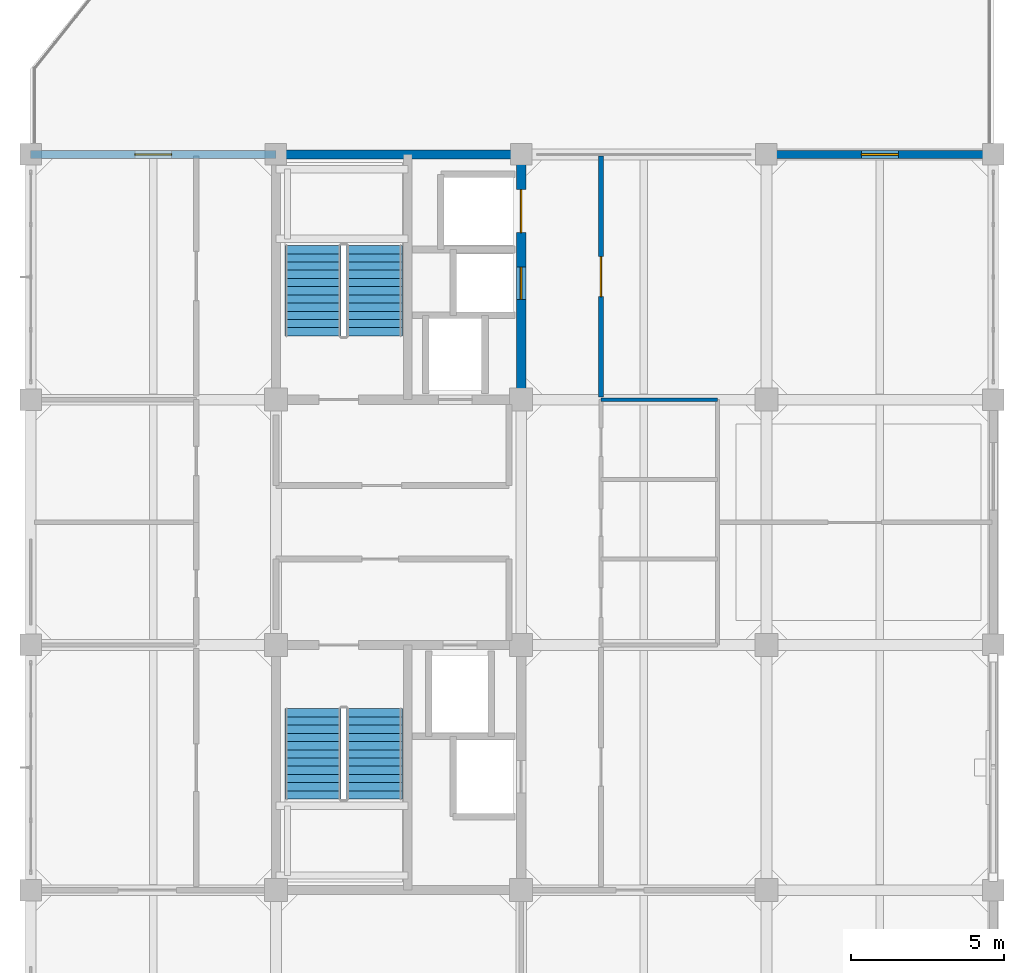
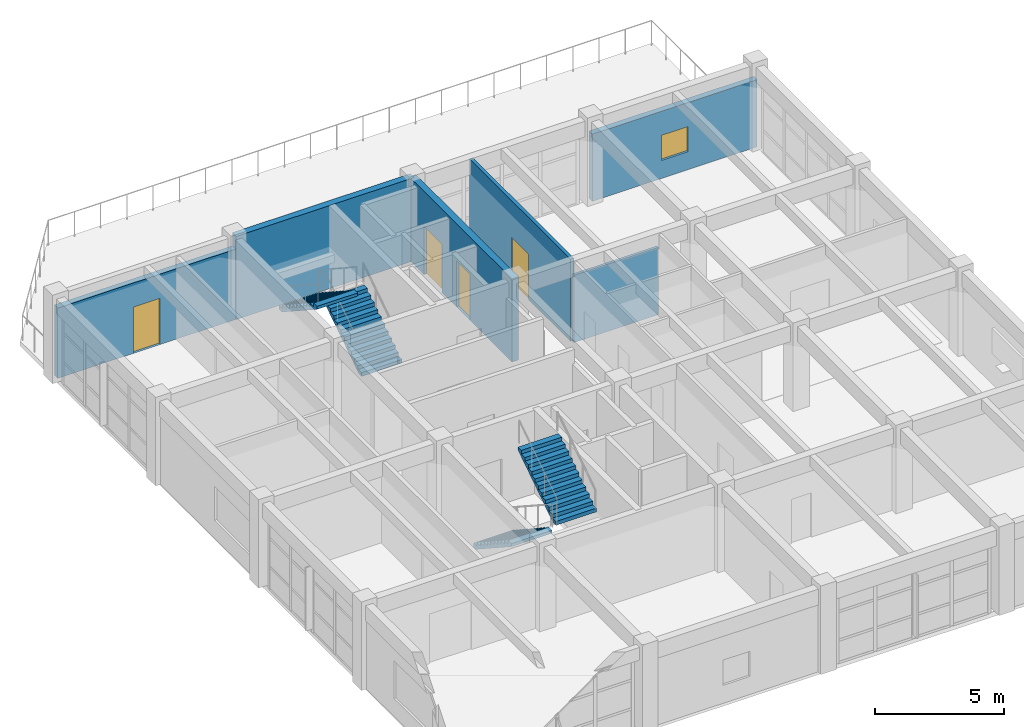
# One storey, part 16 of 19: 6 walls, 4 doors, 4 stair flights, 1 window, 5 openings, 2 elements without a shape of their own.
"""IFC4 building model written with IfcOpenShell, lengths in metres."""

from ifc_helpers import new_model, si_unit, direction, frame, frame_2d, origin, place, context, subcontext, project, spatial, polyline, rectangle, outline, extrude, material, layer, layer_set, type_object, element, fill, aggregate, save


model = new_model("IFC4")

# Units and contexts
model_context = context("Model", 3, precision=1e-05, world=origin(), true_north=direction((0.0, 1.0)))
body_context = subcontext(model_context, "Body", "Model", "MODEL_VIEW")
ifc_project = project(units=[si_unit("LENGTHUNIT", "METRE"), si_unit("AREAUNIT", "SQUARE_METRE"), si_unit("VOLUMEUNIT", "CUBIC_METRE"), si_unit("PLANEANGLEUNIT", "RADIAN"), si_unit("MASSUNIT", "GRAM", prefix="KILO")], contexts=[model_context])

# Site, building, storey
site_placement = place(None, origin())
site = spatial("IfcSite", under=ifc_project, at=site_placement, CompositionType="ELEMENT")
building_placement = place(site_placement, origin())
building = spatial("IfcBuilding", under=site, at=building_placement, Name="Canggui Botanical Conservatory", CompositionType="ELEMENT")
storey_placement = place(building_placement, frame((0.0, 0.0, 48.60009765625)))
storey = spatial("IfcBuildingStorey", under=building, at=storey_placement, Name="L12", CompositionType="ELEMENT", Elevation=48.60009765625)

# Wall, opening, door
ifc_material_1 = material(Name="Precast Concrete C40", Category="concrete")
ifc_layer_1 = layer(ifc_material_1, 0.260009765625, Name="Precast Concrete C40", Category="concrete")
ifc_layer_set_1 = layer_set([ifc_layer_1], Name="Precast Concrete C40")
wall_type_1 = type_object("IfcWallType", Name="EW-260", PredefinedType="STANDARD", material=ifc_layer_set_1)
wall_1_placement = place(storey_placement, frame((146.0, 66.0, 0.0), z_axis=(0.0, 0.0, 1.0), x_axis=(1.0, 0.0, 0.0)))
wall_1 = element("IfcWall", 1, at=wall_1_placement, inside=storey, type_object=wall_type_1, Name="Tower Insulated Exterior Wall L12-N9", PredefinedType="STANDARD", context=body_context, shape_type="SweptSolid", body=[
    extrude(rectangle(XDim=8.0, YDim=0.260009765625, at=frame_2d((4.0, 0.0))), origin(), (0.0, 0.0, 1.0), 3.33984375),
])
opening_1_placement = place(wall_1_placement, frame((3.39990234375, 0.0, 0.0)))
opening_1 = element("IfcOpeningElement", 2, at=opening_1_placement, cuts=wall_1, Name="Opening TD-02", PredefinedType="OPENING", context=body_context, shape_type="SweptSolid", body=[
    extrude(rectangle(XDim=1.199951171875, YDim=2.199951171875, at=frame_2d((0.60009765625, 1.10009765625))), frame((0.0, 0.14013671875, 0.0), z_axis=(0.0, -1.0, 0.0), x_axis=(1.0, 0.0, 0.0)), (0.0, 0.0, 1.0), 0.280029296875),
])
ifc_material_2 = material(Name="Anodised Aluminium", Category="aluminium")
door_type_1 = type_object("IfcDoorType", Name="EDR-TER12", OperationType="NOTDEFINED", PredefinedType="DOOR", material=ifc_material_2)
door_1_placement = place(opening_1_placement, origin())
door_1 = element("IfcDoor", 3, at=door_1_placement, inside=storey, type_object=door_type_1, Name="Sky Terrace Access Door L12", OperationType="SINGLE_SWING_RIGHT", OverallHeight=2.199951171875, OverallWidth=1.199951171875, PredefinedType="DOOR", context=body_context, shape_type="SweptSolid", body=[
    extrude(rectangle(XDim=1.199951171875, YDim=2.199951171875, at=frame_2d((0.60009765625, 1.10009765625))), frame((0.0, 0.02490234375, 0.0), z_axis=(0.0, -1.0, 0.0), x_axis=(1.0, 0.0, 0.0)), (0.0, 0.0, 1.0), 0.050048828125),
])
fill(opening_1, door_1)

# Wall, opening, window
wall_2_placement = place(storey_placement, frame((170.0, 66.0, 0.0), z_axis=(0.0, 0.0, 1.0), x_axis=(1.0, 0.0, 0.0)))
wall_2 = element("IfcWall", 4, at=wall_2_placement, inside=storey, type_object=wall_type_1, Name="Tower Insulated Exterior Wall L12-N11", PredefinedType="STANDARD", context=body_context, shape_type="SweptSolid", body=[
    extrude(rectangle(XDim=7.39990234375, YDim=0.260009765625, at=frame_2d((3.699951171875, 0.0))), origin(), (0.0, 0.0, 1.0), 3.18994140625),
])
opening_2_placement = place(wall_2_placement, frame((3.10009765625, 0.0, 0.85009765625)))
opening_2 = element("IfcOpeningElement", 5, at=opening_2_placement, cuts=wall_2, Name="Opening W-06", PredefinedType="OPENING", context=body_context, shape_type="SweptSolid", body=[
    extrude(rectangle(XDim=1.199951171875, YDim=1.199951171875, at=frame_2d((0.60009765625, 0.60009765625))), frame((0.0, 0.14013671875, 0.0), z_axis=(0.0, -1.0, 0.0), x_axis=(1.0, 0.0, 0.0)), (0.0, 0.0, 1.0), 0.280029296875),
])
ifc_material_3 = material(Name="Low-E Insulated Glass", Category="glass")
window_type = type_object("IfcWindowType", Name="WIN-06", PartitioningType="SINGLE_PANEL", PredefinedType="WINDOW", material=ifc_material_3)
window_placement = place(opening_2_placement, origin())
window = element("IfcWindow", 6, at=window_placement, inside=storey, type_object=window_type, Name="Tower Firefighter Rescue Window L12-11", OverallHeight=1.199951171875, OverallWidth=1.199951171875, PartitioningType="SINGLE_PANEL", PredefinedType="WINDOW", context=body_context, shape_type="SweptSolid", body=[
    extrude(rectangle(XDim=1.199951171875, YDim=1.199951171875, at=frame_2d((0.60009765625, 0.60009765625))), frame((0.0, 0.030029296875, 0.0), z_axis=(0.0, -1.0, 0.0), x_axis=(1.0, 0.0, 0.0)), (0.0, 0.0, 1.0), 0.06005859375),
])
fill(opening_2, window)

# Wall, opening, door
ifc_material_4 = material(Name="Gypsum Plasterboard Partition")
ifc_layer_2 = layer(ifc_material_4, 0.155029296875, Name="Gypsum Plasterboard Partition")
ifc_layer_set_2 = layer_set([ifc_layer_2], Name="Gypsum Plasterboard Partition")
wall_type_2 = type_object("IfcWallType", Name="IW-LAB-155", PredefinedType="STANDARD", material=ifc_layer_set_2)
wall_3_placement = place(storey_placement, frame((164.60009765625, 58.080078125, 0.0), z_axis=(0.0, 0.0, 1.0), x_axis=(0.0, 1.0, 0.0)))
wall_3 = element("IfcWall", 7, at=wall_3_placement, inside=storey, type_object=wall_type_2, Name="L12 Micropropagation Growth Room Lab Wall", PredefinedType="STANDARD", context=body_context, shape_type="SweptSolid", body=[
    extrude(rectangle(XDim=7.869873046875, YDim=0.155029296875, at=frame_2d((3.93505859375, 0.0))), origin(), (0.0, 0.0, 1.0), 3.89990234375),
])
opening_3_placement = place(wall_3_placement, frame((3.284912109375, 0.0, 0.0)))
opening_3 = element("IfcOpeningElement", 8, at=opening_3_placement, cuts=wall_3, Name="Opening FD-09", PredefinedType="OPENING", context=body_context, shape_type="SweptSolid", body=[
    extrude(rectangle(XDim=1.300048828125, YDim=2.14990234375, at=frame_2d((0.64990234375, 1.074951171875))), frame((0.0, 0.08740234375, 0.0), z_axis=(0.0, -1.0, 0.0), x_axis=(1.0, 0.0, 0.0)), (0.0, 0.0, 1.0), 0.175048828125),
])
ifc_material_5 = material(Name="Powder-Coated Steel", Category="steel")
door_type_2 = type_object("IfcDoorType", Name="FD-09", OperationType="NOTDEFINED", PredefinedType="DOOR", material=ifc_material_5)
door_2_placement = place(opening_3_placement, origin())
door_2 = element("IfcDoor", 9, at=door_2_placement, inside=storey, type_object=door_type_2, Name="Interior Door IW-L12-ECOR-2-1", OperationType="SINGLE_SWING_RIGHT", OverallHeight=2.14990234375, OverallWidth=1.300048828125, PredefinedType="DOOR", context=body_context, shape_type="SweptSolid", body=[
    extrude(rectangle(XDim=1.300048828125, YDim=2.14990234375, at=frame_2d((0.64990234375, 1.074951171875))), frame((0.0, 0.02490234375, 0.0), z_axis=(0.0, -1.0, 0.0), x_axis=(1.0, 0.0, 0.0)), (0.0, 0.0, 1.0), 0.050048828125),
])
fill(opening_3, door_2)

# Wall
ifc_layer_3 = layer(ifc_material_4, 0.125, Name="Gypsum Plasterboard Partition")
ifc_layer_set_3 = layer_set([ifc_layer_3], Name="Gypsum Plasterboard Partition")
wall_type_3 = type_object("IfcWallType", Name="IW-WC-125", PredefinedType="STANDARD", material=ifc_layer_set_3)
wall_4_placement = place(storey_placement, frame((164.60009765625, 58.0, 0.0), z_axis=(0.0, 0.0, 1.0), x_axis=(1.0, 0.0, 0.0)))
element("IfcWall", 10, at=wall_4_placement, inside=storey, type_object=wall_type_3, Name="L12 Restroom Divider Y58.0", PredefinedType="STANDARD", context=body_context, shape_type="SweptSolid", body=[
    extrude(rectangle(XDim=3.7998046875, YDim=0.125, at=frame_2d((1.89990234375, 0.0))), origin(), (0.0, 0.0, 1.0), 3.18994140625),
])

# Wall, openings, doors
ifc_material_6 = material(Name="Concrete C35", Category="concrete")
ifc_layer_4 = layer(ifc_material_6, 0.300048828125, Name="Concrete C35", Category="concrete")
ifc_layer_set_4 = layer_set([ifc_layer_4], Name="Concrete C35")
wall_type_4 = type_object("IfcWallType", Name="WALL-SH-300-C35", PredefinedType="SHEAR", material=ifc_layer_set_4)
wall_5_placement = place(storey_placement, frame((162.0, 58.0, 0.0), z_axis=(0.0, 0.0, 1.0), x_axis=(0.0, 1.0, 0.0)))
wall_5 = element("IfcWall", 11, at=wall_5_placement, inside=storey, type_object=wall_type_4, Name="Core T2 Shear Wall L12-E", PredefinedType="SHEAR", context=body_context, shape_type="SweptSolid", body=[
    extrude(rectangle(XDim=8.0, YDim=0.300048828125, at=frame_2d((4.0, 0.0))), origin(), (0.0, 0.0, 1.0), 3.949951171875),
])
opening_4_placement = place(wall_5_placement, frame((3.27490234375, 0.0, 0.0)))
opening_4 = element("IfcOpeningElement", 12, at=opening_4_placement, cuts=wall_5, Name="Opening LD-02", PredefinedType="OPENING", context=body_context, shape_type="SweptSolid", body=[
    extrude(rectangle(XDim=1.050048828125, YDim=2.199951171875, at=frame_2d((0.52490234375, 1.10009765625))), frame((0.0, 0.16015625, 0.0), z_axis=(0.0, -1.0, 0.0), x_axis=(1.0, 0.0, 0.0)), (0.0, 0.0, 1.0), 0.320068359375),
])
opening_5_placement = place(wall_5_placement, frame((5.449951171875, 0.0, 0.0)))
opening_5 = element("IfcOpeningElement", 13, at=opening_5_placement, cuts=wall_5, Name="Opening LD-03", PredefinedType="OPENING", context=body_context, shape_type="SweptSolid", body=[
    extrude(rectangle(XDim=1.39990234375, YDim=2.300048828125, at=frame_2d((0.699951171875, 1.14990234375))), frame((0.0, 0.16015625, 0.0), z_axis=(0.0, -1.0, 0.0), x_axis=(1.0, 0.0, 0.0)), (0.0, 0.0, 1.0), 0.320068359375),
])
ifc_material_7 = material(Name="Stainless Steel 304", Category="steel")
door_type_3 = type_object("IfcDoorType", Name="LDR-02", OperationType="NOTDEFINED", PredefinedType="DOOR", material=ifc_material_7)
door_3_placement = place(opening_4_placement, origin())
door_3 = element("IfcDoor", 14, at=door_3_placement, inside=storey, type_object=door_type_3, Name="Passenger Lift PL-02 Landing Door L12", OperationType="SLIDING_TO_RIGHT", OverallHeight=2.199951171875, OverallWidth=1.050048828125, PredefinedType="DOOR", context=body_context, shape_type="SweptSolid", body=[
    extrude(rectangle(XDim=1.050048828125, YDim=2.199951171875, at=frame_2d((0.52490234375, 1.10009765625))), frame((0.0, 0.02490234375, 0.0), z_axis=(0.0, -1.0, 0.0), x_axis=(1.0, 0.0, 0.0)), (0.0, 0.0, 1.0), 0.050048828125),
])
fill(opening_4, door_3)
door_type_4 = type_object("IfcDoorType", Name="LDR-03", OperationType="NOTDEFINED", PredefinedType="DOOR", material=ifc_material_7)
door_4_placement = place(opening_5_placement, origin())
door_4 = element("IfcDoor", 15, at=door_4_placement, inside=storey, type_object=door_type_4, Name="Herbarium Goods Lift GL-01 Landing Door L12", OperationType="DOUBLE_DOOR_SLIDING", OverallHeight=2.300048828125, OverallWidth=1.39990234375, PredefinedType="DOOR", context=body_context, shape_type="SweptSolid", body=[
    extrude(rectangle(XDim=1.39990234375, YDim=2.300048828125, at=frame_2d((0.699951171875, 1.14990234375))), frame((0.0, 0.02490234375, 0.0), z_axis=(0.0, -1.0, 0.0), x_axis=(1.0, 0.0, 0.0)), (0.0, 0.0, 1.0), 0.050048828125),
])
fill(opening_5, door_4)

# Wall
wall_6_placement = place(storey_placement, frame((162.0, 66.0, 0.0), z_axis=(0.0, 0.0, 1.0), x_axis=(-1.0, 0.0, 0.0)))
element("IfcWall", 16, at=wall_6_placement, inside=storey, type_object=wall_type_4, Name="Core T2 Shear Wall L12-N", PredefinedType="SHEAR", context=body_context, shape_type="SweptSolid", body=[
    extrude(rectangle(XDim=8.0, YDim=0.300048828125, at=frame_2d((4.0, 0.0))), origin(), (0.0, 0.0, 1.0), 3.949951171875),
])

# Stair, stair flights
stair_type = type_object("IfcStairType", Name="STR-TYPE-6", PredefinedType="HALF_TURN_STAIR", material=ifc_material_6)
stair_1_placement = place(storey_placement, origin())
stair_1 = element("IfcStair", 17, at=stair_1_placement, inside=storey, type_object=stair_type, Name="L12 Tower South Smoke-Proof Stair ST-T1", PredefinedType="HALF_TURN_STAIR")
stair_flight_type = type_object("IfcStairFlightType", Name="SFL-TYPE-6", PredefinedType="STRAIGHT", material=ifc_material_6)
stair_flight_1_placement = place(storey_placement, frame((155.2099609375, 47.919921875, 0.0), z_axis=(0.0, 0.0, 1.0), x_axis=(0.0, -1.0, 0.0)))
stair_flight_1 = element("IfcStairFlight", 18, at=stair_flight_1_placement, type_object=stair_flight_type, Name="ST-T1 flight 1", NumberOfRisers=12, NumberOfTreads=11, PredefinedType="STRAIGHT", RiserHeight=0.175, TreadLength=0.268, context=body_context, shape_type="SweptSolid", body=[
    extrude(outline(polyline([(0.0, 0.0), (0.0, 0.175048828125), (0.26806640625, 0.175048828125), (0.26806640625, 0.35009765625), (0.535888671875, 0.35009765625), (0.535888671875, 0.52490234375), (0.803955078125, 0.52490234375), (0.803955078125, 0.699951171875), (1.072021484375, 0.699951171875), (1.072021484375, 0.875), (1.340087890625, 0.875), (1.340087890625, 1.050048828125), (1.60791015625, 1.050048828125), (1.60791015625, 1.22509765625), (1.8759765625, 1.22509765625), (1.8759765625, 1.39990234375), (2.14404296875, 1.39990234375), (2.14404296875, 1.574951171875), (2.412109375, 1.574951171875), (2.412109375, 1.75), (2.679931640625, 1.75), (2.679931640625, 1.925048828125), (2.947998046875, 1.925048828125), (2.947998046875, 2.10009765625), (2.947998046875, 1.781494140625), (0.2197265625, 0.0), (0.0, 0.0)])), frame((0.0, 0.91015625, 0.0), z_axis=(0.0, -1.0, 0.0), x_axis=(1.0, 0.0, 0.0)), (0.0, 0.0, 1.0), 1.820068359375),
])
stair_flight_2_placement = place(storey_placement, frame((157.2099609375, 44.971923828125, 2.099853515625), z_axis=(0.0, 0.0, 1.0), x_axis=(0.0, 1.0, 0.0)))
stair_flight_2 = element("IfcStairFlight", 19, at=stair_flight_2_placement, type_object=stair_flight_type, Name="ST-T1 flight 2", NumberOfRisers=12, NumberOfTreads=11, PredefinedType="STRAIGHT", RiserHeight=0.175, TreadLength=0.268, context=body_context, shape_type="SweptSolid", body=[
    extrude(outline(polyline([(0.0, 0.0), (0.0, 0.175048828125), (0.26806640625, 0.175048828125), (0.26806640625, 0.35009765625), (0.535888671875, 0.35009765625), (0.535888671875, 0.52490234375), (0.803955078125, 0.52490234375), (0.803955078125, 0.699951171875), (1.072021484375, 0.699951171875), (1.072021484375, 0.875), (1.340087890625, 0.875), (1.340087890625, 1.050048828125), (1.60791015625, 1.050048828125), (1.60791015625, 1.22509765625), (1.8759765625, 1.22509765625), (1.8759765625, 1.39990234375), (2.14404296875, 1.39990234375), (2.14404296875, 1.574951171875), (2.412109375, 1.574951171875), (2.412109375, 1.75), (2.679931640625, 1.75), (2.679931640625, 1.925048828125), (2.947998046875, 1.925048828125), (2.947998046875, 2.10009765625), (2.947998046875, 1.781494140625), (0.2197265625, 0.0), (0.0, 0.0)])), frame((0.0, 0.91015625, 0.0), z_axis=(0.0, -1.0, 0.0), x_axis=(1.0, 0.0, 0.0)), (0.0, 0.0, 1.0), 1.820068359375),
])
aggregate(stair_1, [stair_flight_1, stair_flight_2])

stair_2_placement = place(storey_placement, origin())
stair_2 = element("IfcStair", 20, at=stair_2_placement, inside=storey, type_object=stair_type, Name="L12 Tower North Smoke-Proof Stair ST-T2", PredefinedType="HALF_TURN_STAIR")
stair_flight_3_placement = place(storey_placement, frame((157.2099609375, 60.080078125, 0.0), z_axis=(0.0, 0.0, 1.0), x_axis=(0.0, 1.0, 0.0)))
stair_flight_3 = element("IfcStairFlight", 21, at=stair_flight_3_placement, type_object=stair_flight_type, Name="ST-T2 flight 1", NumberOfRisers=12, NumberOfTreads=11, PredefinedType="STRAIGHT", RiserHeight=0.175, TreadLength=0.268, context=body_context, shape_type="SweptSolid", body=[
    extrude(outline(polyline([(0.0, 0.0), (0.0, 0.175048828125), (0.26806640625, 0.175048828125), (0.26806640625, 0.35009765625), (0.535888671875, 0.35009765625), (0.535888671875, 0.52490234375), (0.803955078125, 0.52490234375), (0.803955078125, 0.699951171875), (1.072021484375, 0.699951171875), (1.072021484375, 0.875), (1.340087890625, 0.875), (1.340087890625, 1.050048828125), (1.60791015625, 1.050048828125), (1.60791015625, 1.22509765625), (1.8759765625, 1.22509765625), (1.8759765625, 1.39990234375), (2.14404296875, 1.39990234375), (2.14404296875, 1.574951171875), (2.412109375, 1.574951171875), (2.412109375, 1.75), (2.679931640625, 1.75), (2.679931640625, 1.925048828125), (2.947998046875, 1.925048828125), (2.947998046875, 2.10009765625), (2.947998046875, 1.781494140625), (0.2197265625, 0.0), (0.0, 0.0)])), frame((0.0, 0.91015625, 0.0), z_axis=(0.0, -1.0, 0.0), x_axis=(1.0, 0.0, 0.0)), (0.0, 0.0, 1.0), 1.820068359375),
])
stair_flight_4_placement = place(storey_placement, frame((155.2099609375, 63.028076171875, 2.099853515625), z_axis=(0.0, 0.0, 1.0), x_axis=(0.0, -1.0, 0.0)))
stair_flight_4 = element("IfcStairFlight", 22, at=stair_flight_4_placement, type_object=stair_flight_type, Name="ST-T2 flight 2", NumberOfRisers=12, NumberOfTreads=11, PredefinedType="STRAIGHT", RiserHeight=0.175, TreadLength=0.268, context=body_context, shape_type="SweptSolid", body=[
    extrude(outline(polyline([(0.0, 0.0), (0.0, 0.175048828125), (0.26806640625, 0.175048828125), (0.26806640625, 0.35009765625), (0.535888671875, 0.35009765625), (0.535888671875, 0.52490234375), (0.803955078125, 0.52490234375), (0.803955078125, 0.699951171875), (1.072021484375, 0.699951171875), (1.072021484375, 0.875), (1.340087890625, 0.875), (1.340087890625, 1.050048828125), (1.60791015625, 1.050048828125), (1.60791015625, 1.22509765625), (1.8759765625, 1.22509765625), (1.8759765625, 1.39990234375), (2.14404296875, 1.39990234375), (2.14404296875, 1.574951171875), (2.412109375, 1.574951171875), (2.412109375, 1.75), (2.679931640625, 1.75), (2.679931640625, 1.925048828125), (2.947998046875, 1.925048828125), (2.947998046875, 2.10009765625), (2.947998046875, 1.781494140625), (0.2197265625, 0.0), (0.0, 0.0)])), frame((0.0, 0.91015625, 0.0), z_axis=(0.0, -1.0, 0.0), x_axis=(1.0, 0.0, 0.0)), (0.0, 0.0, 1.0), 1.820068359375),
])
aggregate(stair_2, [stair_flight_3, stair_flight_4])

save(model, "model.ifc")
